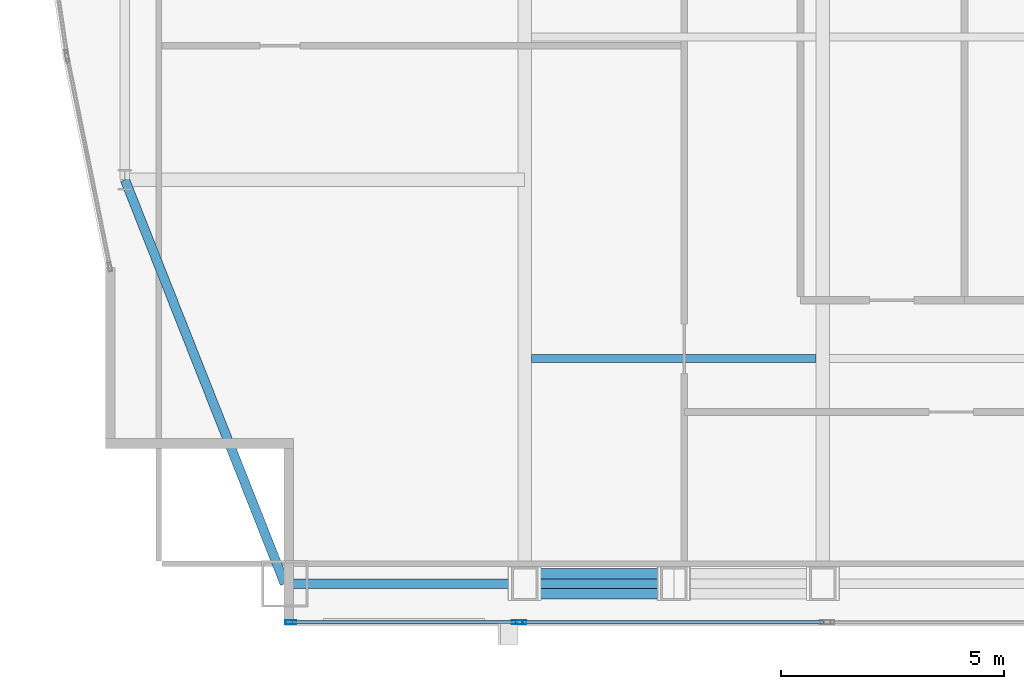
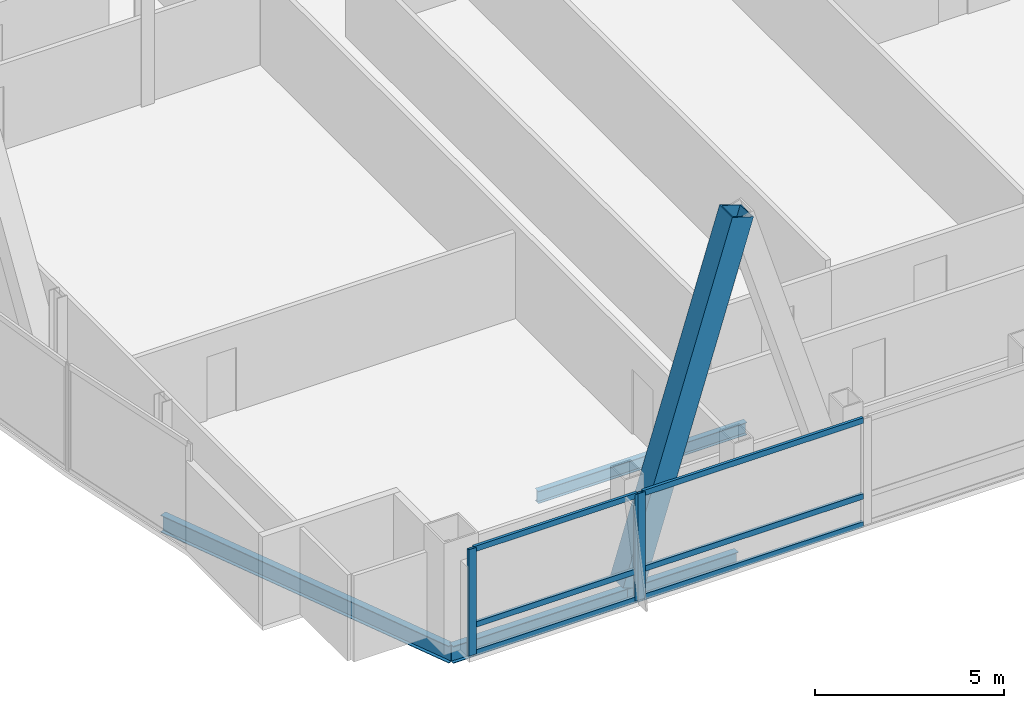
# One storey, part 5 of 31: 10 members, 4 beams, 2 elements without a shape of their own.
"""IFC4 building model written with IfcOpenShell, lengths in metres."""

from ifc_helpers import new_model, si_unit, direction, frame, origin, origin_2d, place, context, subcontext, project, spatial, hollow_rectangle, i_section, extrude, material, material_profile, profile_set, type_object, element, aggregate, save


model = new_model("IFC4")

# Units and contexts
model_context = context("Model", 3, precision=1e-05, world=origin(), true_north=direction((0.0, 1.0)))
body_context = subcontext(model_context, "Body", "Model", "MODEL_VIEW")
ifc_project = project(units=[si_unit("LENGTHUNIT", "METRE"), si_unit("AREAUNIT", "SQUARE_METRE"), si_unit("VOLUMEUNIT", "CUBIC_METRE"), si_unit("PLANEANGLEUNIT", "RADIAN"), si_unit("MASSUNIT", "GRAM", prefix="KILO")], contexts=[model_context])

# Site, building, storey
site_placement = place(None, origin())
site = spatial("IfcSite", under=ifc_project, at=site_placement, CompositionType="ELEMENT")
building_placement = place(site_placement, origin())
building = spatial("IfcBuilding", under=site, at=building_placement, Name="Khoronbel Lancet Exchange", CompositionType="ELEMENT")
storey_placement = place(building_placement, frame((0.0, 0.0, 273.39990234375)))
storey = spatial("IfcBuildingStorey", under=building, at=storey_placement, Name="L70", CompositionType="ELEMENT", Elevation=273.39990234375)

# Beams
ifc_material_1 = material(Name="Steel S355", Category="steel")
ifc_material_profile_1 = material_profile(ifc_material_1, i_section(OverallWidth=0.179931640625, OverallDepth=0.39990234375, WebThickness=0.008544921875, FlangeThickness=0.013427734375, at=origin_2d()), Name="IPE 400")
ifc_profile_set_1 = profile_set([ifc_material_profile_1], Name="Steel S355")
beam_type_1 = type_object("IfcBeamType", Name="BM-BJ5", PredefinedType="JOIST", material=ifc_profile_set_1)
beam_1_placement = place(storey_placement, frame((18.375, 15.199951171875, -0.35986328125), z_axis=(1.0, 0.0, 0.0), x_axis=(0.0, 1.0, 0.0)))
element("IfcBeam", 1, at=beam_1_placement, inside=storey, type_object=beam_type_1, Name="Level L70 secondary composite joist J01", PredefinedType="JOIST", context=body_context, shape_type="SweptSolid", body=[
    extrude(i_section(OverallWidth=0.179931640625, OverallDepth=0.39990234375, WebThickness=0.008544921875, FlangeThickness=0.013427734375, at=origin_2d()), origin(), (0.0, 0.0, 1.0), 6.375),
])
ifc_material_profile_2 = material_profile(ifc_material_1, i_section(OverallWidth=0.2099609375, OverallDepth=0.550048828125, WebThickness=0.010986328125, FlangeThickness=0.01708984375, at=origin_2d()), Name="IPE 550")
ifc_profile_set_2 = profile_set([ifc_material_profile_2], Name="Steel S355")
beam_type_2 = type_object("IfcBeamType", Name="BM-BSP3", PredefinedType="SPANDREL", material=ifc_profile_set_2)
beam_2_placement = place(storey_placement, frame((12.85009765625, 10.14990234375, -0.434814453125), z_axis=(1.0, 0.0, 0.0), x_axis=(0.0, 1.0, 0.0)))
element("IfcBeam", 2, at=beam_2_placement, inside=storey, type_object=beam_type_2, Name="Level L70 perimeter spandrel beam SP01", PredefinedType="SPANDREL", context=body_context, shape_type="SweptSolid", body=[
    extrude(i_section(OverallWidth=0.2099609375, OverallDepth=0.550048828125, WebThickness=0.010986328125, FlangeThickness=0.01708984375, at=origin_2d()), origin(), (0.0, 0.0, 1.0), 5.375),
])
beam_3_placement = place(storey_placement, frame((18.22509765625, 10.14990234375, -0.434814453125), z_axis=(1.0, 0.0, 0.0), x_axis=(0.0, 1.0, 0.0)))
element("IfcBeam", 3, at=beam_3_placement, inside=storey, type_object=beam_type_2, Name="Level L70 perimeter spandrel beam SP02", PredefinedType="SPANDREL", context=body_context, shape_type="SweptSolid", body=[
    extrude(i_section(OverallWidth=0.2099609375, OverallDepth=0.550048828125, WebThickness=0.010986328125, FlangeThickness=0.01708984375, at=origin_2d()), origin(), (0.0, 0.0, 1.0), 3.33740234375),
])
beam_4_placement = place(storey_placement, frame((9.27001953125, 19.199951171875, -0.434814453125), z_axis=(0.367850095026, -0.92988510451, 0.0), x_axis=(0.92988510451, 0.367850095026, 0.0)))
element("IfcBeam", 4, at=beam_4_placement, inside=storey, type_object=beam_type_2, Name="Level L70 perimeter spandrel beam SP21", PredefinedType="SPANDREL", context=body_context, shape_type="SweptSolid", body=[
    extrude(i_section(OverallWidth=0.2099609375, OverallDepth=0.550048828125, WebThickness=0.010986328125, FlangeThickness=0.01708984375, at=origin_2d()), origin(), (0.0, 0.0, 1.0), 9.732421875),
])

# Curtain wall, members
ifc_material_2 = material(Name="Low-E Solar Control Insulating Glass", Category="glass")
curtain_wall_type = type_object("IfcCurtainWallType", Name="CW-3", PredefinedType="NOTDEFINED", material=ifc_material_2)
curtain_wall_1_placement = place(storey_placement, origin())
curtain_wall_1 = element("IfcCurtainWall", 5, at=curtain_wall_1_placement, inside=storey, type_object=curtain_wall_type, Name="Unitised curtain wall CW-L70-SWV", PredefinedType="NOTDEFINED")
ifc_material_3 = material(Name="Bronze-Anodised Aluminium 6063-T6", Category="aluminium")
ifc_material_profile_3 = material_profile(ifc_material_3, hollow_rectangle(XDim=0.0849609375, YDim=0.239990234375, WallThickness=0.006103515625, at=origin_2d()), Name="ALU MULLION 85x240")
ifc_profile_set_3 = profile_set([ifc_material_profile_3], Name="Bronze-Anodised Aluminium 6063-T6")
member_type_1 = type_object("IfcMemberType", Name="MEM-CWM1", PredefinedType="MULLION", material=ifc_profile_set_3)
member_1_placement = place(storey_placement, frame((12.982421875, 9.2900390625, 0.0), z_axis=(0.0, 0.0, 1.0), x_axis=(0.0, 1.0, 0.0)))
member_1 = element("IfcMember", 6, at=member_1_placement, type_object=member_type_1, Name="CW3 mullion 1", PredefinedType="MULLION", context=body_context, shape_type="SweptSolid", body=[
    extrude(hollow_rectangle(XDim=0.0849609375, YDim=0.239990234375, WallThickness=0.006103515625, at=origin_2d()), origin(), (0.0, 0.0, 1.0), 3.440185546875),
])
member_2_placement = place(storey_placement, frame((18.0576171875, 9.2900390625, 0.0), z_axis=(0.0, 0.0, 1.0), x_axis=(0.0, 1.0, 0.0)))
member_2 = element("IfcMember", 7, at=member_2_placement, type_object=member_type_1, Name="CW3 mullion 2", PredefinedType="MULLION", context=body_context, shape_type="SweptSolid", body=[
    extrude(hollow_rectangle(XDim=0.0849609375, YDim=0.239990234375, WallThickness=0.006103515625, at=origin_2d()), origin(), (0.0, 0.0, 1.0), 3.440185546875),
])

# Curtain wall, member
curtain_wall_2_placement = place(storey_placement, origin())
curtain_wall_2 = element("IfcCurtainWall", 8, at=curtain_wall_2_placement, inside=storey, type_object=curtain_wall_type, Name="Unitised curtain wall CW-L70-SWB", PredefinedType="NOTDEFINED")
member_3_placement = place(storey_placement, frame((18.142578125, 9.2900390625, 0.0), z_axis=(0.0, 0.0, 1.0), x_axis=(0.0, 1.0, 0.0)))
member_3 = element("IfcMember", 9, at=member_3_placement, type_object=member_type_1, Name="CW3 mullion 1", PredefinedType="MULLION", context=body_context, shape_type="SweptSolid", body=[
    extrude(hollow_rectangle(XDim=0.0849609375, YDim=0.239990234375, WallThickness=0.006103515625, at=origin_2d()), origin(), (0.0, 0.0, 1.0), 3.440185546875),
])

# Member
ifc_material_profile_4 = material_profile(ifc_material_3, hollow_rectangle(XDim=0.0849609375, YDim=0.179931640625, WallThickness=0.0048828125, at=origin_2d()), Name="ALU TRANSOM 85x180")
ifc_profile_set_4 = profile_set([ifc_material_profile_4], Name="Bronze-Anodised Aluminium 6063-T6")
member_type_2 = type_object("IfcMemberType", Name="MEM-CWT1", PredefinedType="USERDEFINED", material=ifc_profile_set_4)
member_4_placement = place(storey_placement, frame((13.02490234375, 9.2900390625, 0.04248046875), z_axis=(1.0, 0.0, 0.0), x_axis=(0.0, 1.0, 0.0)))
member_4 = element("IfcMember", 10, at=member_4_placement, type_object=member_type_2, Name="CW3 transom 1.1", ObjectType="TRANSOM", PredefinedType="USERDEFINED", context=body_context, shape_type="SweptSolid", body=[
    extrude(hollow_rectangle(XDim=0.0849609375, YDim=0.179931640625, WallThickness=0.0048828125, at=origin_2d()), origin(), (0.0, 0.0, 1.0), 4.989990234375),
])

member_5_placement = place(storey_placement, frame((13.02490234375, 9.2900390625, 0.9501953125), z_axis=(1.0, 0.0, 0.0), x_axis=(0.0, 1.0, 0.0)))
member_5 = element("IfcMember", 11, at=member_5_placement, type_object=member_type_2, Name="CW3 transom 1.2", ObjectType="TRANSOM", PredefinedType="USERDEFINED", context=body_context, shape_type="SweptSolid", body=[
    extrude(hollow_rectangle(XDim=0.0849609375, YDim=0.179931640625, WallThickness=0.0048828125, at=origin_2d()), origin(), (0.0, 0.0, 1.0), 4.989990234375),
])

member_6_placement = place(storey_placement, frame((13.02490234375, 9.2900390625, 3.397705078125), z_axis=(1.0, 0.0, 0.0), x_axis=(0.0, 1.0, 0.0)))
member_6 = element("IfcMember", 12, at=member_6_placement, type_object=member_type_2, Name="CW3 transom 1.3", ObjectType="TRANSOM", PredefinedType="USERDEFINED", context=body_context, shape_type="SweptSolid", body=[
    extrude(hollow_rectangle(XDim=0.0849609375, YDim=0.179931640625, WallThickness=0.0048828125, at=origin_2d()), origin(), (0.0, 0.0, 1.0), 4.989990234375),
])

aggregate(curtain_wall_1, [member_1, member_2, member_4, member_5, member_6])

member_7_placement = place(storey_placement, frame((18.18505859375, 9.2900390625, 0.04248046875), z_axis=(1.0, 0.0, 0.0), x_axis=(0.0, 1.0, 0.0)))
member_7 = element("IfcMember", 13, at=member_7_placement, type_object=member_type_2, Name="CW3 transom 1.1", ObjectType="TRANSOM", PredefinedType="USERDEFINED", context=body_context, shape_type="SweptSolid", body=[
    extrude(hollow_rectangle(XDim=0.0849609375, YDim=0.179931640625, WallThickness=0.0048828125, at=origin_2d()), origin(), (0.0, 0.0, 1.0), 6.72998046875),
])

member_8_placement = place(storey_placement, frame((18.18505859375, 9.2900390625, 0.9501953125), z_axis=(1.0, 0.0, 0.0), x_axis=(0.0, 1.0, 0.0)))
member_8 = element("IfcMember", 14, at=member_8_placement, type_object=member_type_2, Name="CW3 transom 1.2", ObjectType="TRANSOM", PredefinedType="USERDEFINED", context=body_context, shape_type="SweptSolid", body=[
    extrude(hollow_rectangle(XDim=0.0849609375, YDim=0.179931640625, WallThickness=0.0048828125, at=origin_2d()), origin(), (0.0, 0.0, 1.0), 6.72998046875),
])

member_9_placement = place(storey_placement, frame((18.18505859375, 9.2900390625, 3.397705078125), z_axis=(1.0, 0.0, 0.0), x_axis=(0.0, 1.0, 0.0)))
member_9 = element("IfcMember", 15, at=member_9_placement, type_object=member_type_2, Name="CW3 transom 1.3", ObjectType="TRANSOM", PredefinedType="USERDEFINED", context=body_context, shape_type="SweptSolid", body=[
    extrude(hollow_rectangle(XDim=0.0849609375, YDim=0.179931640625, WallThickness=0.0048828125, at=origin_2d()), origin(), (0.0, 0.0, 1.0), 6.72998046875),
])

aggregate(curtain_wall_2, [member_3, member_7, member_8, member_9])

ifc_material_4 = material(Name="Steel S460", Category="steel")
ifc_material_profile_5 = material_profile(ifc_material_4, hollow_rectangle(XDim=0.679931640625, YDim=0.679931640625, WallThickness=0.044921875, at=origin_2d()), Name="BOX 680x680x45")
ifc_profile_set_5 = profile_set([ifc_material_profile_5], Name="Steel S460")
member_type_3 = type_object("IfcMemberType", Name="MEM-MB3", PredefinedType="BRACE", material=ifc_profile_set_5)
member_10_placement = place(storey_placement, frame((18.22509765625, 10.14990234375, 0.0), z_axis=(0.295242108906, 0.0, 0.955422470496), x_axis=(0.0, 1.0, 0.0)))
element("IfcMember", 16, at=member_10_placement, inside=storey, type_object=member_type_3, Name="Perimeter lancet brace tier 24 S-W-L", PredefinedType="BRACE", context=body_context, shape_type="SweptSolid", body=[
    extrude(hollow_rectangle(XDim=0.679931640625, YDim=0.679931640625, WallThickness=0.044921875, at=origin_2d()), origin(), (0.0, 0.0, 1.0), 11.303955078125),
])

save(model, "model.ifc")
